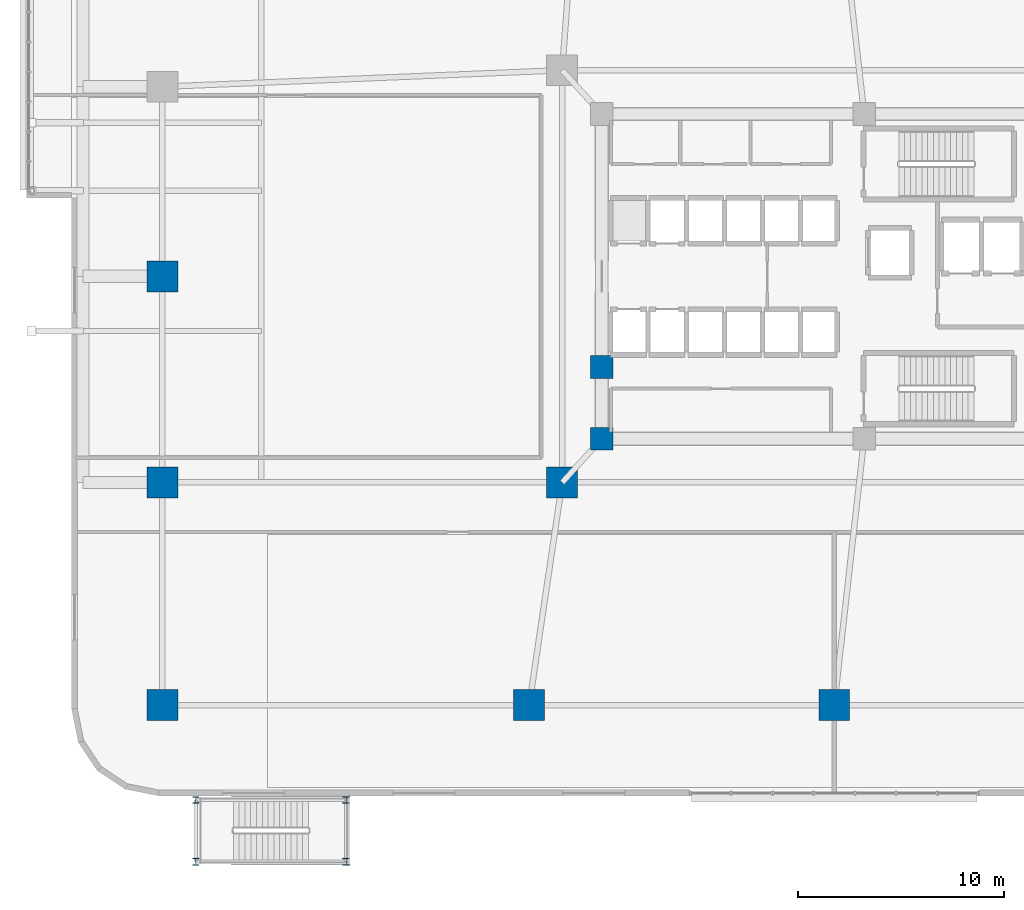
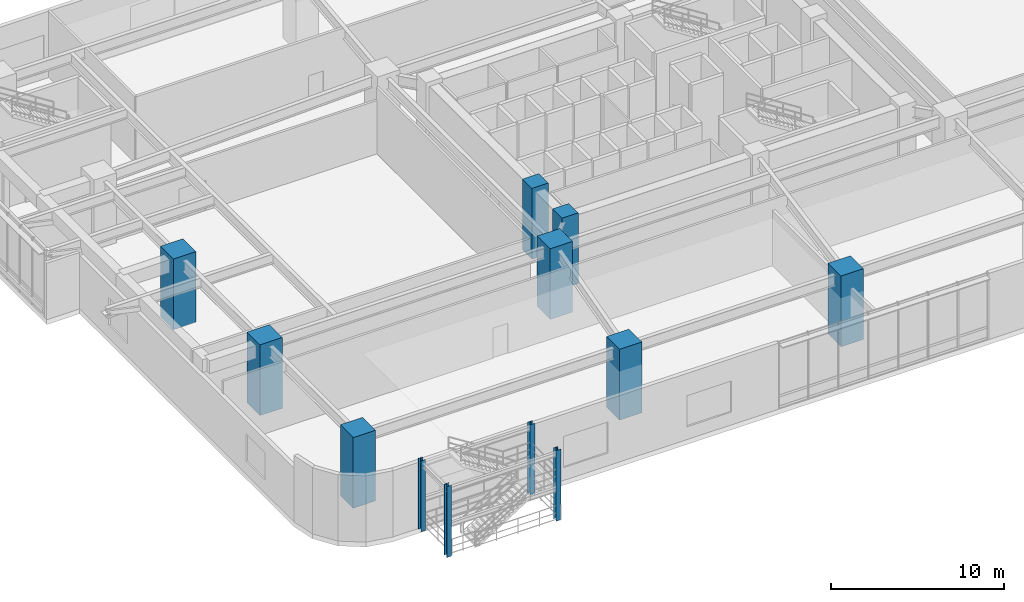
# One storey, part 1 of 23: 12 columns.
"""IFC4 building model written with IfcOpenShell, lengths in metres."""

import ifcopenshell
import ifcopenshell.guid

model = None  # the IFC model being written
_history = None  # IfcOwnerHistory: only IFC2X3 demands one
_inside = {}  # id of a spatial element -> (the spatial element, [elements in it])
_under = {}  # id of a project, library or spatial element -> (it, [spatial elements below it])
_declared = {}  # id of a project -> (the project, [libraries it declares])
_typed = {}  # id of a type object -> (the type object, [elements of that type])
_made_of = {}  # id of a material, layer set ... -> (it, [elements and type objects made of it])


def new_model(schema):
    """Start an empty IFC model of exactly this schema.

    Asked for "IFC4X3", IfcOpenShell would pick the latest addendum, in which some entities
    have other attributes; the version numbers below select the first issue.
    IFC2X3 requires an IfcOwnerHistory on every rooted entity: one is made here for all.
    """
    global model, _history
    if schema == "IFC4X3":
        model = ifcopenshell.file(schema_version=(4, 3, 0, 0))
    else:
        model = ifcopenshell.file(schema=schema)
    _inside.clear()
    _under.clear()
    _declared.clear()
    _typed.clear()
    _made_of.clear()
    _history = None
    if model.schema == "IFC2X3":
        org = make("IfcOrganization", Name="unknown")
        user = make(
            "IfcPersonAndOrganization",
            ThePerson=make("IfcPerson", FamilyName="unknown"),
            TheOrganization=org,
        )
        app = make(
            "IfcApplication",
            ApplicationDeveloper=org,
            Version="unknown",
            ApplicationFullName="unknown",
            ApplicationIdentifier="unknown",
        )
        _history = make(
            "IfcOwnerHistory",
            OwningUser=user,
            OwningApplication=app,
            ChangeAction="ADDED",
            CreationDate=0,
        )
    return model


def make(cls, **values):
    """One entity of the class cls with the attributes given. An attribute that is None is left unset."""
    return model.create_entity(
        cls, **{name: value for name, value in values.items() if value is not None}
    )


def rooted(cls, **values):
    """An entity with a GlobalId (a new one), such as an element, a storey or a relation."""
    return make(cls, GlobalId=ifcopenshell.guid.new(), OwnerHistory=_history, **values)


def si_unit(unit_type, name, prefix=None):
    """IfcSIUnit, for example si_unit("LENGTHUNIT", "METRE", prefix="MILLI")."""
    return make("IfcSIUnit", UnitType=unit_type, Prefix=prefix, Name=name)


def assignment(units):
    """IfcUnitAssignment: the units of a project."""
    return None if units is None else make("IfcUnitAssignment", Units=units)


def point(xyz):
    """IfcCartesianPoint."""
    return None if xyz is None else make("IfcCartesianPoint", Coordinates=xyz)


def direction(xyz):
    """IfcDirection."""
    return None if xyz is None else make("IfcDirection", DirectionRatios=xyz)


def frame(location, z_axis=None, x_axis=None):
    """IfcAxis2Placement3D, a coordinate frame: its origin and axes. An axis left out is left unset."""
    return make(
        "IfcAxis2Placement3D",
        Location=point(location),
        Axis=direction(z_axis),
        RefDirection=direction(x_axis),
    )


def frame_2d(location, x_axis=None):
    """IfcAxis2Placement2D, a coordinate frame in the plane: its origin and x axis."""
    return make(
        "IfcAxis2Placement2D", Location=point(location), RefDirection=direction(x_axis)
    )


def origin():
    """The frame at (0, 0, 0) with its axes left unset."""
    return frame((0.0, 0.0, 0.0))


def origin_2d():
    """The frame at (0, 0) in the plane with its x axis left unset."""
    return frame_2d((0.0, 0.0))


def place(relative_to, where):
    """IfcLocalPlacement: puts the frame where relative to a parent placement (None: the world)."""
    return make(
        "IfcLocalPlacement", PlacementRelTo=relative_to, RelativePlacement=where
    )


def context(
    kind, dimensions, precision=None, world=None, true_north=None, identifier=None
):
    """IfcGeometricRepresentationContext, for example the 3D "Model" context."""
    return make(
        "IfcGeometricRepresentationContext",
        ContextIdentifier=identifier,
        ContextType=kind,
        CoordinateSpaceDimension=dimensions,
        Precision=precision,
        WorldCoordinateSystem=world,
        TrueNorth=true_north,
    )


def subcontext(parent, identifier, kind, view, scale=None):
    """IfcGeometricRepresentationSubContext, for example "Body" below "Model"."""
    return make(
        "IfcGeometricRepresentationSubContext",
        ContextIdentifier=identifier,
        ContextType=kind,
        ParentContext=parent,
        TargetScale=scale,
        TargetView=view,
    )


def project(units=None, contexts=None):
    """IfcProject with its units and contexts."""
    return rooted(
        "IfcProject",
        Name="project",
        RepresentationContexts=contexts,
        UnitsInContext=assignment(units),
    )


def spatial(cls, under=None, at=None, **own):
    """A site, building, storey or space (cls), placed at a placement, below another one or the project."""
    s = rooted(cls, ObjectPlacement=at, **own)
    if under is not None:
        _under.setdefault(under.id(), (under, []))[1].append(s)
    return s


def profile(cls, at=None, kind="AREA", **sizes):
    """A parametric profile (cls). Its sizes go by their IFC names, for example OverallWidth=200.0."""
    return make(cls, ProfileType=kind, Position=at, **sizes)


def rectangle(**sizes):
    """IfcRectangleProfileDef."""
    return profile("IfcRectangleProfileDef", **sizes)


def i_section(**sizes):
    """IfcIShapeProfileDef."""
    return profile("IfcIShapeProfileDef", **sizes)


def extrude(swept, where, along, depth):
    """IfcExtrudedAreaSolid: the profile swept, set in the frame where, extruded along a direction by depth."""
    return make(
        "IfcExtrudedAreaSolid",
        SweptArea=swept,
        Position=where,
        ExtrudedDirection=direction(along),
        Depth=depth,
    )


def shape(context_of_items, identifier, shape_type, items):
    """IfcShapeRepresentation: the items that make up one representation, for example the "Body"."""
    return make(
        "IfcShapeRepresentation",
        ContextOfItems=context_of_items,
        RepresentationIdentifier=identifier,
        RepresentationType=shape_type,
        Items=items,
    )


def material(Name=None, Category=None):
    """IfcMaterial."""
    return make("IfcMaterial", Name=Name, Category=Category)


def material_profile(
    of_material, cross_section, Name=None, Category=None, Priority=None
):
    """IfcMaterialProfile: a cross section and its material."""
    return make(
        "IfcMaterialProfile",
        Name=Name,
        Material=of_material,
        Profile=cross_section,
        Priority=Priority,
        Category=Category,
    )


def profile_set(profiles, Name=None, composite=None):
    """IfcMaterialProfileSet."""
    return make(
        "IfcMaterialProfileSet",
        Name=Name,
        MaterialProfiles=profiles,
        CompositeProfile=composite,
    )


def made_of(thing, what):
    """Note that an element or type object is made of a material, layer set ...; save() writes the relation."""
    if what is not None:
        _made_of.setdefault(what.id(), (what, []))[1].append(thing)
    return thing


def type_object(cls, material=None, **own):
    """A type object (cls), such as IfcWallType, which elements share."""
    return made_of(rooted(cls, **own), material)


def element(
    cls,
    number,
    at=None,
    inside=None,
    cuts=None,
    type_object=None,
    material=None,
    context=None,
    identifier="Body",
    shape_type=None,
    held_by="IfcProductDefinitionShape",
    body=None,
    shapes=None,
    **own,
):
    """One element of the class cls, such as IfcWall. Its Tag is "e" and its number.

    at: its placement. inside: the storey or other place that contains it. cuts: it is an
    opening in that element (IfcRelVoidsElement). A single representation is given by context,
    identifier, shape_type and body (its items); several are given by shapes. held_by: the class
    of the entity that holds the representations. save() writes the other relations.
    """
    e = rooted(cls, Tag="e%d" % number, ObjectPlacement=at, **own)
    if body is not None:
        shapes = [shape(context, identifier, shape_type, body)]
    if shapes is not None:
        e.Representation = make(held_by, Representations=shapes)
    if inside is not None:
        _inside.setdefault(inside.id(), (inside, []))[1].append(e)
    if cuts is not None:
        rooted(
            "IfcRelVoidsElement", RelatingBuildingElement=cuts, RelatedOpeningElement=e
        )
    if type_object is not None:
        _typed.setdefault(type_object.id(), (type_object, []))[1].append(e)
    return made_of(e, material)


def aggregate(whole, parts):
    """IfcRelAggregates: a whole, such as a stair, and the parts it consists of."""
    return rooted("IfcRelAggregates", RelatingObject=whole, RelatedObjects=parts)


def save(model, path):
    """Write the relations noted so far, then the file.

    IfcRelAggregates (storeys below a building ...), IfcRelContainedInSpatialStructure (elements
    in a storey), IfcRelDefinesByType, IfcRelAssociatesMaterial and IfcRelDeclares: one each for
    every whole, place, type object, material and project.
    """
    for whole, parts in _under.values():
        aggregate(whole, parts)
    for where, things in _inside.values():
        rooted(
            "IfcRelContainedInSpatialStructure",
            RelatedElements=things,
            RelatingStructure=where,
        )
    for kind, things in _typed.values():
        rooted("IfcRelDefinesByType", RelatedObjects=things, RelatingType=kind)
    for what, things in _made_of.values():
        rooted("IfcRelAssociatesMaterial", RelatedObjects=things, RelatingMaterial=what)
    for by, libraries in _declared.values():
        rooted("IfcRelDeclares", RelatingContext=by, RelatedDefinitions=libraries)
    model.write(path)


model = new_model("IFC4")

# Units and contexts
model_context = context("Model", 3, precision=1e-05, world=origin(), true_north=direction((0.0, 1.0)))
body_context = subcontext(model_context, "Body", "Model", "MODEL_VIEW")
ifc_project = project(units=[si_unit("LENGTHUNIT", "METRE"), si_unit("AREAUNIT", "SQUARE_METRE"), si_unit("VOLUMEUNIT", "CUBIC_METRE"), si_unit("PLANEANGLEUNIT", "RADIAN"), si_unit("MASSUNIT", "GRAM", prefix="KILO")], contexts=[model_context])

# Site, building, storey
site_placement = place(None, origin())
site = spatial("IfcSite", under=ifc_project, at=site_placement, CompositionType="ELEMENT")
building_placement = place(site_placement, origin())
building = spatial("IfcBuilding", under=site, at=building_placement, Name="Zulverin Broadcast Headquarters", CompositionType="ELEMENT")
storey_placement = place(building_placement, frame((0.0, 0.0, 10.0)))
storey = spatial("IfcBuildingStorey", under=building, at=storey_placement, Name="L02", CompositionType="ELEMENT", Elevation=10.0)

# Columns
ifc_material_1 = material(Name="Concrete C60/75", Category="concrete")
ifc_material_profile_1 = material_profile(ifc_material_1, rectangle(XDim=1.5, YDim=1.5, at=origin_2d()), Name="Concrete C60/75", Category="concrete")
ifc_profile_set_1 = profile_set([ifc_material_profile_1], Name="Concrete C60/75")
column_type_1 = type_object("IfcColumnType", Name="COL-RC-1500", PredefinedType="COLUMN", material=ifc_profile_set_1)
for number, where, z_axis, x_axis, name in (
    (1, (4.39990234375, 4.39990234375, 0.0), (0.0, 0.0, 1.0), (1.0, 0.0, 0.0), "L02 Podium Mega Column P01"),
    (2, (22.199951171875, 4.39990234375, 0.0), (0.0, 0.0, 1.0), (1.0, 0.0, 0.0), "L02 Podium Mega Column P02"),
    (3, (37.0, 4.39990234375, 0.0), (0.0, 0.0, 1.0), (1.0, 0.0, 0.0), "L02 Podium Mega Column P03"),
    (4, (4.39990234375, 15.199951171875, 0.0), (0.0, 0.0, 1.0), (1.0, 0.0, 0.0), "L02 Podium Mega Column P11"),
    (5, (4.39990234375, 25.199951171875, 0.0), (0.0, 0.0, 1.0), (1.0, 0.0, 0.0), "L02 Podium Mega Column P12"),
    (6, (23.800048828125, 15.199951171875, 0.0), (0.0, 0.0, 1.0), (1.0, 0.0, 0.0), "L02 Podium Mega Column M01"),
):
    element("IfcColumn", number, at=place(storey_placement, frame(where, z_axis=z_axis, x_axis=x_axis)), inside=storey, type_object=column_type_1, Name=name, PredefinedType="COLUMN", context=body_context, shape_type="SweptSolid", body=[
        extrude(rectangle(XDim=1.5, YDim=1.5, at=origin_2d()), origin(), (0.0, 0.0, 1.0), 5.0),
    ])
ifc_material_2 = material(Name="Structural steel S355JR", Category="steel")
ifc_material_profile_2 = material_profile(ifc_material_2, i_section(OverallWidth=0.311279296875, OverallDepth=0.3271484375, WebThickness=0.015869140625, FlangeThickness=0.02490234375, at=origin_2d()), Name="Structural steel S355JR", Category="steel")
ifc_profile_set_2 = profile_set([ifc_material_profile_2], Name="Structural steel S355JR")
column_type_2 = type_object("IfcColumnType", Name="COL-UC-158", PredefinedType="COLUMN", material=ifc_profile_set_2)
for number, where, z_axis, x_axis, name in (
    (7, (6.02001953125, -3.199951171875, 0.0), (0.0, 0.0, 1.0), (1.0, 0.0, 0.0), "L02 Exterior Garden Stair Support Column ST5-P1"),
    (8, (13.320068359375, -3.199951171875, 0.0), (0.0, 0.0, 1.0), (1.0, 0.0, 0.0), "L02 Exterior Garden Stair Support Column ST5-P2"),
    (9, (6.02001953125, -0.199951171875, 0.0), (0.0, 0.0, 1.0), (1.0, 0.0, 0.0), "L02 Exterior Garden Stair Support Column ST5-P3"),
    (10, (13.320068359375, -0.199951171875, 0.0), (0.0, 0.0, 1.0), (1.0, 0.0, 0.0), "L02 Exterior Garden Stair Support Column ST5-P4"),
):
    element("IfcColumn", number, at=place(storey_placement, frame(where, z_axis=z_axis, x_axis=x_axis)), inside=storey, type_object=column_type_2, Name=name, PredefinedType="COLUMN", context=body_context, shape_type="SweptSolid", body=[
        extrude(i_section(OverallWidth=0.311279296875, OverallDepth=0.3271484375, WebThickness=0.015869140625, FlangeThickness=0.02490234375, at=origin_2d()), origin(), (0.0, 0.0, 1.0), 5.0),
    ])
ifc_material_profile_3 = material_profile(ifc_material_1, rectangle(XDim=1.10009765625, YDim=1.10009765625, at=origin_2d()), Name="Concrete C60/75", Category="concrete")
ifc_profile_set_3 = profile_set([ifc_material_profile_3], Name="Concrete C60/75")
column_type_3 = type_object("IfcColumnType", Name="PIL-RC-1100", PredefinedType="PILASTER", material=ifc_profile_set_3)
for number, where, z_axis, x_axis, name in (
    (11, (25.72509765625, 17.324951171875, 0.0), (0.0, 0.0, 1.0), (1.0, 0.0, 0.0), "L02 Core Pilaster K01"),
    (12, (25.72509765625, 20.800048828125, 0.0), (0.0, 0.0, 1.0), (1.0, 0.0, 0.0), "L02 Core Pilaster K08"),
):
    element("IfcColumn", number, at=place(storey_placement, frame(where, z_axis=z_axis, x_axis=x_axis)), inside=storey, type_object=column_type_3, Name=name, PredefinedType="PILASTER", context=body_context, shape_type="SweptSolid", body=[
        extrude(rectangle(XDim=1.10009765625, YDim=1.10009765625, at=origin_2d()), origin(), (0.0, 0.0, 1.0), 5.0),
    ])

save(model, "model.ifc")
